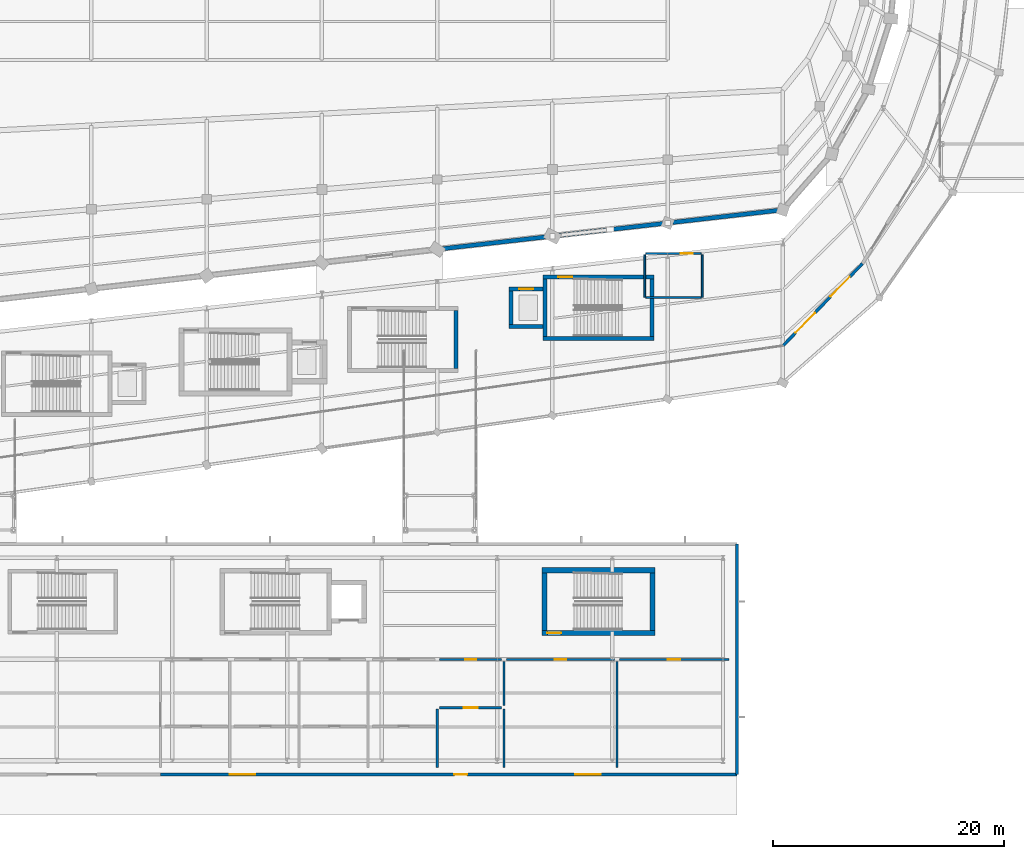
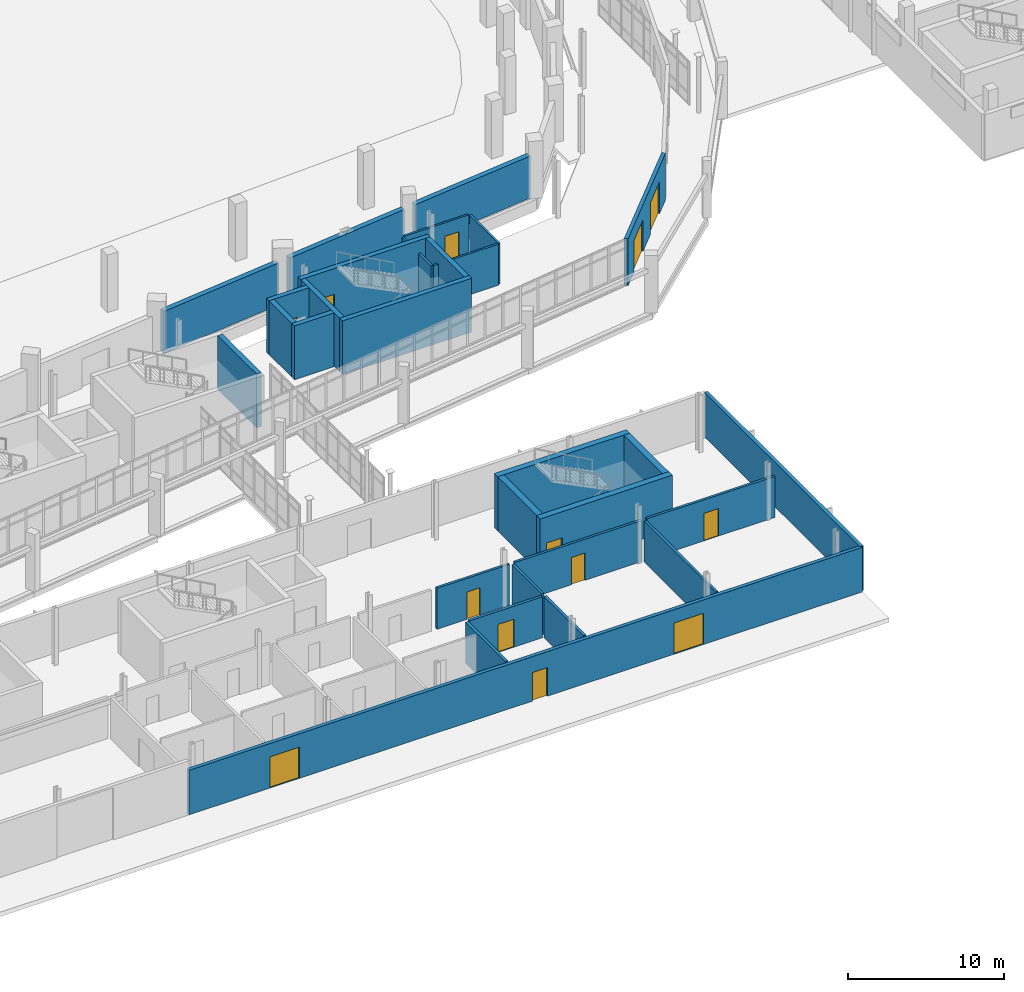
# One storey, part 106 of 122: 30 walls, 13 doors, 13 openings.
"""IFC4 building model written with IfcOpenShell, lengths in metres."""

from ifc_helpers import new_model, si_unit, direction, frame, frame_2d, origin, place, context, subcontext, project, spatial, rectangle, extrude, material, layer, layer_set, type_object, element, fill, save


model = new_model("IFC4")

# Units and contexts
model_context = context("Model", 3, precision=1e-05, world=origin(), true_north=direction((0.0, 1.0)))
body_context = subcontext(model_context, "Body", "Model", "MODEL_VIEW")
ifc_project = project(units=[si_unit("LENGTHUNIT", "METRE"), si_unit("AREAUNIT", "SQUARE_METRE"), si_unit("VOLUMEUNIT", "CUBIC_METRE"), si_unit("PLANEANGLEUNIT", "RADIAN"), si_unit("MASSUNIT", "GRAM", prefix="KILO")], contexts=[model_context])

# Site, building, storey
site_placement = place(None, origin())
site = spatial("IfcSite", under=ifc_project, at=site_placement, CompositionType="ELEMENT")
building_placement = place(site_placement, origin())
building = spatial("IfcBuilding", under=site, at=building_placement, Name="Sohan Crest Arena", CompositionType="ELEMENT")
storey_placement = place(building_placement, origin())
storey = spatial("IfcBuildingStorey", under=building, at=storey_placement, Name="L00", CompositionType="ELEMENT", Elevation=0.0)

# Wall, openings, doors
ifc_material_1 = material(Name="Margalla limestone ashlar envelope wall", Category="masonry")
ifc_layer_1 = layer(ifc_material_1, 0.260009765625, Name="Margalla limestone ashlar envelope wall")
ifc_layer_set_1 = layer_set([ifc_layer_1], Name="Margalla limestone ashlar envelope wall")
wall_type_1 = type_object("IfcWallType", Name="WAL-EW01", PredefinedType="SOLIDWALL", material=ifc_layer_set_1)
wall_1_placement = place(storey_placement, frame((168.0, 43.199951171875, 0.0), z_axis=(0.0, 0.0, 1.0), x_axis=(0.695294601794, 0.718724854667, 0.0)))
wall_1 = element("IfcWall", 1, at=wall_1_placement, inside=storey, type_object=wall_type_1, Name="External wall EW-079", PredefinedType="SOLIDWALL", context=body_context, shape_type="SweptSolid", body=[
    extrude(rectangle(XDim=9.909423828125, YDim=0.260009765625, at=frame_2d((4.95458984375, 0.0))), origin(), (0.0, 0.0, 1.0), 3.679931640625),
])
opening_1_placement = place(wall_1_placement, frame((1.574951171875, 0.0, 0.0)))
opening_1 = element("IfcOpeningElement", 2, at=opening_1_placement, cuts=wall_1, Name="Opening G07", PredefinedType="OPENING", context=body_context, shape_type="SweptSolid", body=[
    extrude(rectangle(XDim=2.39990234375, YDim=2.5, at=frame_2d((1.199951171875, 1.25))), frame((0.0, 0.139892578125, 0.0), z_axis=(0.0, -1.0, 0.0), x_axis=(1.0, 0.0, 0.0)), (0.0, 0.0, 1.0), 0.280029296875),
])
opening_2_placement = place(wall_1_placement, frame((5.93505859375, 0.0, 0.0)))
opening_2 = element("IfcOpeningElement", 3, at=opening_2_placement, cuts=wall_1, Name="Opening G08", PredefinedType="OPENING", context=body_context, shape_type="SweptSolid", body=[
    extrude(rectangle(XDim=2.39990234375, YDim=2.5, at=frame_2d((1.199951171875, 1.25))), frame((0.0, 0.139892578125, 0.0), z_axis=(0.0, -1.0, 0.0), x_axis=(1.0, 0.0, 0.0)), (0.0, 0.0, 1.0), 0.280029296875),
])
ifc_material_2 = material(Name="Galvanised steel acoustic final exit door", Category="steel")
door_type_1 = type_object("IfcDoorType", Name="DR-G01", OperationType="DOUBLE_DOOR_SINGLE_SWING", PredefinedType="DOOR", material=ifc_material_2)
door_1_placement = place(opening_1_placement, frame((2.39990234375, 0.0, 0.0), z_axis=(0.0, 0.0, 1.0), x_axis=(-1.0, 0.0, 0.0)))
door_1 = element("IfcDoor", 4, at=door_1_placement, inside=storey, type_object=door_type_1, Name="Pedestrian exit gate G07", OperationType="DOUBLE_DOOR_SINGLE_SWING", OverallHeight=2.5, OverallWidth=2.39990234375, PredefinedType="DOOR", context=body_context, shape_type="SweptSolid", body=[
    extrude(rectangle(XDim=2.39990234375, YDim=2.5, at=frame_2d((1.199951171875, 1.25))), frame((0.0, 0.02490234375, 0.0), z_axis=(0.0, -1.0, 0.0), x_axis=(1.0, 0.0, 0.0)), (0.0, 0.0, 1.0), 0.050048828125),
])
fill(opening_1, door_1)
door_2_placement = place(opening_2_placement, frame((2.39990234375, 0.0, 0.0), z_axis=(0.0, 0.0, 1.0), x_axis=(-1.0, 0.0, 0.0)))
door_2 = element("IfcDoor", 5, at=door_2_placement, inside=storey, type_object=door_type_1, Name="Pedestrian exit gate G08", OperationType="DOUBLE_DOOR_SINGLE_SWING", OverallHeight=2.5, OverallWidth=2.39990234375, PredefinedType="DOOR", context=body_context, shape_type="SweptSolid", body=[
    extrude(rectangle(XDim=2.39990234375, YDim=2.5, at=frame_2d((1.199951171875, 1.25))), frame((0.0, 0.02490234375, 0.0), z_axis=(0.0, -1.0, 0.0), x_axis=(1.0, 0.0, 0.0)), (0.0, 0.0, 1.0), 0.050048828125),
])
fill(opening_2, door_2)

wall_2_placement = place(storey_placement, frame((114.0, 6.0, 0.0), z_axis=(0.0, 0.0, 1.0), x_axis=(1.0, 0.0, 0.0)))
wall_2 = element("IfcWall", 6, at=wall_2_placement, inside=storey, type_object=wall_type_1, Name="External wall EW-126", PredefinedType="SOLIDWALL", context=body_context, shape_type="SweptSolid", body=[
    extrude(rectangle(XDim=50.0, YDim=0.260009765625, at=frame_2d((25.0, 0.0))), origin(), (0.0, 0.0, 1.0), 3.5),
])
opening_3_placement = place(wall_2_placement, frame((25.5, 0.0, 0.0)))
opening_3 = element("IfcOpeningElement", 7, at=opening_3_placement, cuts=wall_2, Name="Opening FCC-D01", PredefinedType="OPENING", context=body_context, shape_type="SweptSolid", body=[
    extrude(rectangle(XDim=1.10009765625, YDim=2.25, at=frame_2d((0.550048828125, 1.125))), frame((0.0, 0.139892578125, 0.0), z_axis=(0.0, -1.0, 0.0), x_axis=(1.0, 0.0, 0.0)), (0.0, 0.0, 1.0), 0.280029296875),
])
opening_4_placement = place(wall_2_placement, frame((6.0, 0.0, 0.0)))
opening_4 = element("IfcOpeningElement", 8, at=opening_4_placement, cuts=wall_2, Name="Opening G25", PredefinedType="OPENING", context=body_context, shape_type="SweptSolid", body=[
    extrude(rectangle(XDim=2.199951171875, YDim=2.449951171875, at=frame_2d((1.10009765625, 1.22509765625))), frame((0.0, 0.139892578125, 0.0), z_axis=(0.0, -1.0, 0.0), x_axis=(1.0, 0.0, 0.0)), (0.0, 0.0, 1.0), 0.280029296875),
])
opening_5_placement = place(wall_2_placement, frame((36.0, 0.0, 0.0)))
opening_5 = element("IfcOpeningElement", 9, at=opening_5_placement, cuts=wall_2, Name="Opening G26", PredefinedType="OPENING", context=body_context, shape_type="SweptSolid", body=[
    extrude(rectangle(XDim=2.199951171875, YDim=2.449951171875, at=frame_2d((1.10009765625, 1.22509765625))), frame((0.0, 0.139892578125, 0.0), z_axis=(0.0, -1.0, 0.0), x_axis=(1.0, 0.0, 0.0)), (0.0, 0.0, 1.0), 0.280029296875),
])
ifc_material_3 = material(Name="Insulated steel plant exterior personnel door", Category="steel")
door_type_2 = type_object("IfcDoorType", Name="DR-ED03", OperationType="NOTDEFINED", PredefinedType="DOOR", material=ifc_material_3)
door_3_placement = place(opening_3_placement, frame((1.10009765625, 0.0, 0.0), z_axis=(0.0, 0.0, 1.0), x_axis=(-1.0, 0.0, 0.0)))
door_3 = element("IfcDoor", 10, at=door_3_placement, inside=storey, type_object=door_type_2, Name="Fire command centre exterior entrance FCC-D01", OperationType="SINGLE_SWING_LEFT", OverallHeight=2.25, OverallWidth=1.10009765625, PredefinedType="DOOR", context=body_context, shape_type="SweptSolid", body=[
    extrude(rectangle(XDim=1.10009765625, YDim=2.25, at=frame_2d((0.550048828125, 1.125))), frame((0.0, 0.02490234375, 0.0), z_axis=(0.0, -1.0, 0.0), x_axis=(1.0, 0.0, 0.0)), (0.0, 0.0, 1.0), 0.050048828125),
])
fill(opening_3, door_3)
door_type_3 = type_object("IfcDoorType", Name="DR-G02", OperationType="DOUBLE_DOOR_SINGLE_SWING", PredefinedType="DOOR", material=ifc_material_2)
door_4_placement = place(opening_4_placement, frame((2.199951171875, 0.0, 0.0), z_axis=(0.0, 0.0, 1.0), x_axis=(-1.0, 0.0, 0.0)))
door_4 = element("IfcDoor", 11, at=door_4_placement, inside=storey, type_object=door_type_3, Name="Pedestrian exit gate G25", OperationType="DOUBLE_DOOR_SINGLE_SWING", OverallHeight=2.449951171875, OverallWidth=2.199951171875, PredefinedType="DOOR", context=body_context, shape_type="SweptSolid", body=[
    extrude(rectangle(XDim=2.199951171875, YDim=2.449951171875, at=frame_2d((1.10009765625, 1.22509765625))), frame((0.0, 0.02490234375, 0.0), z_axis=(0.0, -1.0, 0.0), x_axis=(1.0, 0.0, 0.0)), (0.0, 0.0, 1.0), 0.050048828125),
])
fill(opening_4, door_4)
door_5_placement = place(opening_5_placement, frame((2.199951171875, 0.0, 0.0), z_axis=(0.0, 0.0, 1.0), x_axis=(-1.0, 0.0, 0.0)))
door_5 = element("IfcDoor", 12, at=door_5_placement, inside=storey, type_object=door_type_3, Name="Pedestrian exit gate G26", OperationType="DOUBLE_DOOR_SINGLE_SWING", OverallHeight=2.449951171875, OverallWidth=2.199951171875, PredefinedType="DOOR", context=body_context, shape_type="SweptSolid", body=[
    extrude(rectangle(XDim=2.199951171875, YDim=2.449951171875, at=frame_2d((1.10009765625, 1.22509765625))), frame((0.0, 0.02490234375, 0.0), z_axis=(0.0, -1.0, 0.0), x_axis=(1.0, 0.0, 0.0)), (0.0, 0.0, 1.0), 0.050048828125),
])
fill(opening_5, door_5)

# Walls
wall_3_placement = place(storey_placement, frame((164.0, 6.0, 0.0), z_axis=(0.0, 0.0, 1.0), x_axis=(0.0, 1.0, 0.0)))
element("IfcWall", 13, at=wall_3_placement, inside=storey, type_object=wall_type_1, Name="External wall EW-127", PredefinedType="SOLIDWALL", context=body_context, shape_type="SweptSolid", body=[
    extrude(rectangle(XDim=20.0, YDim=0.260009765625, at=frame_2d((10.0, 0.0))), origin(), (0.0, 0.0, 1.0), 3.5),
])
ifc_material_4 = material(Name="Acoustic insulated bowl drum enclosure wall", Category="masonry")
ifc_layer_2 = layer(ifc_material_4, 0.3701171875, Name="Acoustic insulated bowl drum enclosure wall")
ifc_layer_set_2 = layer_set([ifc_layer_2], Name="Acoustic insulated bowl drum enclosure wall")
wall_type_2 = type_object("IfcWallType", Name="WAL-EW05", PredefinedType="SOLIDWALL", material=ifc_layer_set_2)
for number, where, z_axis, x_axis, name in (
    (14, (138.43701171875, 51.62109375, 0.0), (0.0, 0.0, 1.0), (0.993532672656, 0.113546591161, 0.0), "Acoustic bowl drum wall BW-L00-17"),
    (15, (148.43701171875, 52.763916015625, 0.0), (0.0, 0.0, 1.0), (0.993532672656, 0.113546591161, 0.0), "Acoustic bowl drum wall BW-L00-18"),
    (16, (158.43701171875, 53.906982421875, 0.0), (0.0, 0.0, 1.0), (0.993532672656, 0.113546591161, 0.0), "Acoustic bowl drum wall BW-L00-19"),
):
    element("IfcWall", number, at=place(storey_placement, frame(where, z_axis=z_axis, x_axis=x_axis)), inside=storey, type_object=wall_type_2, Name=name, PredefinedType="SOLIDWALL", context=body_context, shape_type="SweptSolid", body=[
        extrude(rectangle(XDim=9.185302734375, YDim=0.3701171875, at=frame_2d((4.5927734375, 0.0))), origin(), (0.0, 0.0, 1.0), 3.300048828125),
    ])
ifc_material_5 = material(Name="Fire-rated masonry blockwork compartment wall", Category="masonry")
ifc_layer_3 = layer(ifc_material_5, 0.199951171875, Name="Fire-rated masonry blockwork compartment wall")
ifc_layer_set_3 = layer_set([ifc_layer_3], Name="Fire-rated masonry blockwork compartment wall")
wall_type_3 = type_object("IfcWallType", Name="WAL-FW01", PredefinedType="PARTITIONING", material=ifc_layer_set_3)
for number, where, z_axis, x_axis, name in (
    (17, (138.0, 6.60009765625, 0.0), (0.0, 0.0, 1.0), (0.0, 1.0, 0.0), "Interior partition wall PW-0860"),
    (18, (143.800048828125, 6.60009765625, 0.0), (0.0, 0.0, 1.0), (0.0, 1.0, 0.0), "Interior partition wall PW-0861"),
):
    element("IfcWall", number, at=place(storey_placement, frame(where, z_axis=z_axis, x_axis=x_axis)), inside=storey, type_object=wall_type_3, Name=name, PredefinedType="PARTITIONING", context=body_context, shape_type="SweptSolid", body=[
        extrude(rectangle(XDim=5.099853515625, YDim=0.199951171875, at=frame_2d((2.5498046875, 0.0))), origin(), (0.0, 0.0, 1.0), 3.219970703125),
    ])

# Wall, opening, door
wall_4_placement = place(storey_placement, frame((138.199951171875, 11.800048828125, 0.0), z_axis=(0.0, 0.0, 1.0), x_axis=(1.0, 0.0, 0.0)))
wall_4 = element("IfcWall", 19, at=wall_4_placement, inside=storey, type_object=wall_type_3, Name="Interior partition wall PW-0862", PredefinedType="PARTITIONING", context=body_context, shape_type="SweptSolid", body=[
    extrude(rectangle(XDim=5.400146484375, YDim=0.199951171875, at=frame_2d((2.7001953125, 0.0))), origin(), (0.0, 0.0, 1.0), 3.219970703125),
])
opening_6_placement = place(wall_4_placement, frame((2.10009765625, 0.0, 0.0)))
opening_6 = element("IfcOpeningElement", 20, at=opening_6_placement, cuts=wall_4, Name="Opening FCC-0241", PredefinedType="OPENING", context=body_context, shape_type="SweptSolid", body=[
    extrude(rectangle(XDim=1.199951171875, YDim=2.199951171875, at=frame_2d((0.60009765625, 1.10009765625))), frame((0.0, 0.10986328125, 0.0), z_axis=(0.0, -1.0, 0.0), x_axis=(1.0, 0.0, 0.0)), (0.0, 0.0, 1.0), 0.219970703125),
])
ifc_material_6 = material(Name="Fire-rated steel stair and lobby door", Category="steel")
door_type_4 = type_object("IfcDoorType", Name="DR-FD04", OperationType="NOTDEFINED", PredefinedType="DOOR", material=ifc_material_6)
door_6_placement = place(opening_6_placement, origin())
door_6 = element("IfcDoor", 21, at=door_6_placement, inside=storey, type_object=door_type_4, Name="Fire command centre door FCC-0241", OperationType="SINGLE_SWING_LEFT", OverallHeight=2.199951171875, OverallWidth=1.199951171875, PredefinedType="DOOR", context=body_context, shape_type="SweptSolid", body=[
    extrude(rectangle(XDim=1.199951171875, YDim=2.199951171875, at=frame_2d((0.60009765625, 1.10009765625))), frame((0.0, 0.02490234375, 0.0), z_axis=(0.0, -1.0, 0.0), x_axis=(1.0, 0.0, 0.0)), (0.0, 0.0, 1.0), 0.050048828125),
])
fill(opening_6, door_6)

# Walls
ifc_material_7 = material(Name="Wet-area moisture-resistant masonry partition", Category="masonry")
ifc_layer_4 = layer(ifc_material_7, 0.14990234375, Name="Wet-area moisture-resistant masonry partition")
ifc_layer_set_4 = layer_set([ifc_layer_4], Name="Wet-area moisture-resistant masonry partition")
wall_type_4 = type_object("IfcWallType", Name="WAL-PW03", PredefinedType="PARTITIONING", material=ifc_layer_set_4)
for number, where, z_axis, x_axis, name in (
    (22, (156.0, 47.39990234375, 0.0), (0.0, 0.0, 1.0), (0.0, 1.0, 0.0), "Interior partition wall PW-0842"),
    (23, (161.0, 47.39990234375, 0.0), (0.0, 0.0, 1.0), (0.0, 1.0, 0.0), "Interior partition wall PW-0843"),
):
    element("IfcWall", number, at=place(storey_placement, frame(where, z_axis=z_axis, x_axis=x_axis)), inside=storey, type_object=wall_type_4, Name=name, PredefinedType="PARTITIONING", context=body_context, shape_type="SweptSolid", body=[
        extrude(rectangle(XDim=3.7001953125, YDim=0.14990234375, at=frame_2d((1.85009765625, 0.0))), origin(), (0.0, 0.0, 1.0), 3.219970703125),
    ])
wall_5_placement = place(storey_placement, frame((156.10009765625, 47.39990234375, 0.0), z_axis=(0.0, 0.0, 1.0), x_axis=(1.0, 0.0, 0.0)))
element("IfcWall", 24, at=wall_5_placement, inside=storey, type_object=wall_type_4, Name="Interior partition wall PW-0844", PredefinedType="PARTITIONING", context=body_context, shape_type="SweptSolid", body=[
    extrude(rectangle(XDim=4.7998046875, YDim=0.14990234375, at=frame_2d((2.39990234375, 0.0))), origin(), (0.0, 0.0, 1.0), 3.219970703125),
])

# Wall, opening, door
wall_6_placement = place(storey_placement, frame((156.10009765625, 51.199951171875, 0.0), z_axis=(0.0, 0.0, 1.0), x_axis=(1.0, 0.0, 0.0)))
wall_6 = element("IfcWall", 25, at=wall_6_placement, inside=storey, type_object=wall_type_4, Name="Interior partition wall PW-0845", PredefinedType="PARTITIONING", context=body_context, shape_type="SweptSolid", body=[
    extrude(rectangle(XDim=4.7998046875, YDim=0.14990234375, at=frame_2d((2.39990234375, 0.0))), origin(), (0.0, 0.0, 1.0), 3.219970703125),
])
opening_7_placement = place(wall_6_placement, frame((3.0419921875, 0.0, 0.0)))
opening_7 = element("IfcOpeningElement", 26, at=opening_7_placement, cuts=wall_6, Name="Opening WC-0230", PredefinedType="OPENING", context=body_context, shape_type="SweptSolid", body=[
    extrude(rectangle(XDim=1.02001953125, YDim=2.14990234375, at=frame_2d((0.510009765625, 1.074951171875))), frame((0.0, 0.0849609375, 0.0), z_axis=(0.0, -1.0, 0.0), x_axis=(1.0, 0.0, 0.0)), (0.0, 0.0, 1.0), 0.169921875),
])
ifc_material_8 = material(Name="Accessible toilet and dressing room door", Category="wood")
door_type_5 = type_object("IfcDoorType", Name="DR-ID03", OperationType="NOTDEFINED", PredefinedType="DOOR", material=ifc_material_8)
door_7_placement = place(opening_7_placement, origin())
door_7 = element("IfcDoor", 27, at=door_7_placement, inside=storey, type_object=door_type_5, Name="South accessible WC door WC-0230", OperationType="SINGLE_SWING_LEFT", OverallHeight=2.14990234375, OverallWidth=1.02001953125, PredefinedType="DOOR", context=body_context, shape_type="SweptSolid", body=[
    extrude(rectangle(XDim=1.02001953125, YDim=2.14990234375, at=frame_2d((0.510009765625, 1.074951171875))), frame((0.0, 0.02490234375, 0.0), z_axis=(0.0, -1.0, 0.0), x_axis=(1.0, 0.0, 0.0)), (0.0, 0.0, 1.0), 0.050048828125),
])
fill(opening_7, door_7)

ifc_material_9 = material(Name="Back-of-house masonry room partition", Category="masonry")
ifc_layer_5 = layer(ifc_material_9, 0.179931640625, Name="Back-of-house masonry room partition")
ifc_layer_set_5 = layer_set([ifc_layer_5], Name="Back-of-house masonry room partition")
wall_type_5 = type_object("IfcWallType", Name="WAL-PW05", PredefinedType="PARTITIONING", material=ifc_layer_set_5)
wall_7_placement = place(storey_placement, frame((138.199951171875, 16.0, 0.0), z_axis=(0.0, 0.0, 1.0), x_axis=(1.0, 0.0, 0.0)))
wall_7 = element("IfcWall", 28, at=wall_7_placement, inside=storey, type_object=wall_type_5, Name="Interior partition wall PW-0863", PredefinedType="PARTITIONING", context=body_context, shape_type="SweptSolid", body=[
    extrude(rectangle(XDim=5.400146484375, YDim=0.179931640625, at=frame_2d((2.7001953125, 0.0))), origin(), (0.0, 0.0, 1.0), 3.219970703125),
])
opening_8_placement = place(wall_7_placement, frame((2.219970703125, 0.0, 0.0)))
opening_8 = element("IfcOpeningElement", 29, at=opening_8_placement, cuts=wall_7, Name="Opening BRC-0242", PredefinedType="OPENING", context=body_context, shape_type="SweptSolid", body=[
    extrude(rectangle(XDim=0.9599609375, YDim=2.14990234375, at=frame_2d((0.47998046875, 1.074951171875))), frame((0.0, 0.099853515625, 0.0), z_axis=(0.0, -1.0, 0.0), x_axis=(1.0, 0.0, 0.0)), (0.0, 0.0, 1.0), 0.199951171875),
])
ifc_material_10 = material(Name="Hospitality suite and office timber door", Category="wood")
door_type_6 = type_object("IfcDoorType", Name="DR-ID04", OperationType="NOTDEFINED", PredefinedType="DOOR", material=ifc_material_10)
door_8_placement = place(opening_8_placement, origin())
door_8 = element("IfcDoor", 30, at=door_8_placement, inside=storey, type_object=door_type_6, Name="Broadcast vestibule door BRC-0242", OperationType="SINGLE_SWING_RIGHT", OverallHeight=2.14990234375, OverallWidth=0.9599609375, PredefinedType="DOOR", context=body_context, shape_type="SweptSolid", body=[
    extrude(rectangle(XDim=0.9599609375, YDim=2.14990234375, at=frame_2d((0.47998046875, 1.074951171875))), frame((0.0, 0.02490234375, 0.0), z_axis=(0.0, -1.0, 0.0), x_axis=(1.0, 0.0, 0.0)), (0.0, 0.0, 1.0), 0.050048828125),
])
fill(opening_8, door_8)

# Wall
wall_8_placement = place(storey_placement, frame((143.800048828125, 12.0, 0.0), z_axis=(0.0, 0.0, 1.0), x_axis=(0.0, 1.0, 0.0)))
element("IfcWall", 31, at=wall_8_placement, inside=storey, type_object=wall_type_5, Name="Interior partition wall PW-0875", PredefinedType="PARTITIONING", context=body_context, shape_type="SweptSolid", body=[
    extrude(rectangle(XDim=3.800048828125, YDim=0.179931640625, at=frame_2d((1.89990234375, 0.0))), origin(), (0.0, 0.0, 1.0), 3.219970703125),
])

# Wall, opening, door
wall_9_placement = place(storey_placement, frame((144.0, 16.0, 0.0), z_axis=(0.0, 0.0, 1.0), x_axis=(1.0, 0.0, 0.0)))
wall_9 = element("IfcWall", 32, at=wall_9_placement, inside=storey, type_object=wall_type_5, Name="Interior partition wall PW-0876", PredefinedType="PARTITIONING", context=body_context, shape_type="SweptSolid", body=[
    extrude(rectangle(XDim=9.39990234375, YDim=0.179931640625, at=frame_2d((4.699951171875, 0.0))), origin(), (0.0, 0.0, 1.0), 3.219970703125),
])
opening_9_placement = place(wall_9_placement, frame((4.199951171875, 0.0, 0.0)))
opening_9 = element("IfcOpeningElement", 33, at=opening_9_placement, cuts=wall_9, Name="Opening DOP-0251", PredefinedType="OPENING", context=body_context, shape_type="SweptSolid", body=[
    extrude(rectangle(XDim=1.0, YDim=2.139892578125, at=frame_2d((0.5, 1.06982421875))), frame((0.0, 0.099853515625, 0.0), z_axis=(0.0, -1.0, 0.0), x_axis=(1.0, 0.0, 0.0)), (0.0, 0.0, 1.0), 0.199951171875),
])
ifc_material_11 = material(Name="Solid oak acoustic room door", Category="wood")
door_type_7 = type_object("IfcDoorType", Name="DR-ID09", OperationType="NOTDEFINED", PredefinedType="DOOR", material=ifc_material_11)
door_9_placement = place(opening_9_placement, origin())
door_9 = element("IfcDoor", 34, at=door_9_placement, inside=storey, type_object=door_type_7, Name="Doping control door DOP-0251", OperationType="SINGLE_SWING_LEFT", OverallHeight=2.139892578125, OverallWidth=1.0, PredefinedType="DOOR", context=body_context, shape_type="SweptSolid", body=[
    extrude(rectangle(XDim=1.0, YDim=2.139892578125, at=frame_2d((0.5, 1.06982421875))), frame((0.0, 0.02490234375, 0.0), z_axis=(0.0, -1.0, 0.0), x_axis=(1.0, 0.0, 0.0)), (0.0, 0.0, 1.0), 0.050048828125),
])
fill(opening_9, door_9)

# Wall
wall_10_placement = place(storey_placement, frame((153.60009765625, 6.60009765625, 0.0), z_axis=(0.0, 0.0, 1.0), x_axis=(0.0, 1.0, 0.0)))
element("IfcWall", 35, at=wall_10_placement, inside=storey, type_object=wall_type_5, Name="Interior partition wall PW-0877", PredefinedType="PARTITIONING", context=body_context, shape_type="SweptSolid", body=[
    extrude(rectangle(XDim=9.199951171875, YDim=0.179931640625, at=frame_2d((4.60009765625, 0.0))), origin(), (0.0, 0.0, 1.0), 3.219970703125),
])

# Wall, opening, door
wall_11_placement = place(storey_placement, frame((153.800048828125, 16.0, 0.0), z_axis=(0.0, 0.0, 1.0), x_axis=(1.0, 0.0, 0.0)))
wall_11 = element("IfcWall", 36, at=wall_11_placement, inside=storey, type_object=wall_type_5, Name="Interior partition wall PW-0878", PredefinedType="PARTITIONING", context=body_context, shape_type="SweptSolid", body=[
    extrude(rectangle(XDim=9.5, YDim=0.179931640625, at=frame_2d((4.75, 0.0))), origin(), (0.0, 0.0, 1.0), 3.219970703125),
])
opening_10_placement = place(wall_11_placement, frame((4.2099609375, 0.0, 0.0)))
opening_10 = element("IfcOpeningElement", 37, at=opening_10_placement, cuts=wall_11, Name="Opening MED-0252", PredefinedType="OPENING", context=body_context, shape_type="SweptSolid", body=[
    extrude(rectangle(XDim=1.080078125, YDim=2.159912109375, at=frame_2d((0.5400390625, 1.080078125))), frame((0.0, 0.099853515625, 0.0), z_axis=(0.0, -1.0, 0.0), x_axis=(1.0, 0.0, 0.0)), (0.0, 0.0, 1.0), 0.199951171875),
])
door_type_8 = type_object("IfcDoorType", Name="DR-ID10", OperationType="NOTDEFINED", PredefinedType="DOOR", material=ifc_material_11)
door_10_placement = place(opening_10_placement, origin())
door_10 = element("IfcDoor", 38, at=door_10_placement, inside=storey, type_object=door_type_8, Name="Athlete medical suite door MED-0252", OperationType="SINGLE_SWING_RIGHT", OverallHeight=2.159912109375, OverallWidth=1.080078125, PredefinedType="DOOR", context=body_context, shape_type="SweptSolid", body=[
    extrude(rectangle(XDim=1.080078125, YDim=2.159912109375, at=frame_2d((0.5400390625, 1.080078125))), frame((0.0, 0.02490234375, 0.0), z_axis=(0.0, -1.0, 0.0), x_axis=(1.0, 0.0, 0.0)), (0.0, 0.0, 1.0), 0.050048828125),
])
fill(opening_10, door_10)

# Walls
ifc_material_12 = material(Name="Concrete C40/50", Category="concrete")
ifc_layer_6 = layer(ifc_material_12, 0.35009765625, Name="Concrete C40/50")
ifc_layer_set_6 = layer_set([ifc_layer_6], Name="Concrete C40/50")
wall_type_6 = type_object("IfcWallType", Name="WAL-SW02", PredefinedType="SHEAR", material=ifc_layer_set_6)
for number, where, z_axis, x_axis, name in (
    (39, (147.375, 44.0, 0.0), (0.0, 0.0, 1.0), (0.0, 1.0, 0.0), "Core shear wall SW-0413"),
    (40, (156.625, 44.0, 0.0), (0.0, 0.0, 1.0), (0.0, 1.0, 0.0), "Core shear wall SW-0414"),
):
    element("IfcWall", number, at=place(storey_placement, frame(where, z_axis=z_axis, x_axis=x_axis)), inside=storey, type_object=wall_type_6, Name=name, PredefinedType="SHEAR", context=body_context, shape_type="SweptSolid", body=[
        extrude(rectangle(XDim=5.0, YDim=0.35009765625, at=frame_2d((2.5, 0.0))), origin(), (0.0, 0.0, 1.0), 4.22509765625),
    ])
wall_12_placement = place(storey_placement, frame((147.199951171875, 43.824951171875, 0.0), z_axis=(0.0, 0.0, 1.0), x_axis=(1.0, 0.0, 0.0)))
element("IfcWall", 41, at=wall_12_placement, inside=storey, type_object=wall_type_6, Name="Core shear wall SW-0415", PredefinedType="SHEAR", context=body_context, shape_type="SweptSolid", body=[
    extrude(rectangle(XDim=9.60009765625, YDim=0.35009765625, at=frame_2d((4.800048828125, 0.0))), origin(), (0.0, 0.0, 1.0), 4.22509765625),
])

# Wall, opening, door
wall_13_placement = place(storey_placement, frame((147.199951171875, 49.175048828125, 0.0), z_axis=(0.0, 0.0, 1.0), x_axis=(1.0, 0.0, 0.0)))
wall_13 = element("IfcWall", 42, at=wall_13_placement, inside=storey, type_object=wall_type_6, Name="Core shear wall SW-0416", PredefinedType="SHEAR", context=body_context, shape_type="SweptSolid", body=[
    extrude(rectangle(XDim=9.60009765625, YDim=0.35009765625, at=frame_2d((4.800048828125, 0.0))), origin(), (0.0, 0.0, 1.0), 4.22509765625),
])
opening_11_placement = place(wall_13_placement, frame((1.320068359375, 0.0, 0.0)))
opening_11 = element("IfcOpeningElement", 43, at=opening_11_placement, cuts=wall_13, Name="Opening SD-0115", PredefinedType="OPENING", context=body_context, shape_type="SweptSolid", body=[
    extrude(rectangle(XDim=1.199951171875, YDim=2.199951171875, at=frame_2d((0.60009765625, 1.10009765625))), frame((0.0, 0.18505859375, 0.0), z_axis=(0.0, -1.0, 0.0), x_axis=(1.0, 0.0, 0.0)), (0.0, 0.0, 1.0), 0.3701171875),
])
door_11_placement = place(opening_11_placement, origin())
door_11 = element("IfcDoor", 44, at=door_11_placement, inside=storey, type_object=door_type_4, Name="Protected stair door SD-0115", OperationType="SINGLE_SWING_LEFT", OverallHeight=2.199951171875, OverallWidth=1.199951171875, PredefinedType="DOOR", context=body_context, shape_type="SweptSolid", body=[
    extrude(rectangle(XDim=1.199951171875, YDim=2.199951171875, at=frame_2d((0.60009765625, 1.10009765625))), frame((0.0, 0.02490234375, 0.0), z_axis=(0.0, -1.0, 0.0), x_axis=(1.0, 0.0, 0.0)), (0.0, 0.0, 1.0), 0.050048828125),
])
fill(opening_11, door_11)

# Walls
wall_14_placement = place(storey_placement, frame((144.425048828125, 45.050048828125, 0.0), z_axis=(0.0, 0.0, 1.0), x_axis=(0.0, 1.0, 0.0)))
element("IfcWall", 45, at=wall_14_placement, inside=storey, type_object=wall_type_6, Name="Core shear wall SW-0417", PredefinedType="SHEAR", context=body_context, shape_type="SweptSolid", body=[
    extrude(rectangle(XDim=2.89990234375, YDim=0.35009765625, at=frame_2d((1.449951171875, 0.0))), origin(), (0.0, 0.0, 1.0), 4.22509765625),
])
wall_15_placement = place(storey_placement, frame((144.25, 44.875, 0.0), z_axis=(0.0, 0.0, 1.0), x_axis=(1.0, 0.0, 0.0)))
element("IfcWall", 46, at=wall_15_placement, inside=storey, type_object=wall_type_6, Name="Core shear wall SW-0418", PredefinedType="SHEAR", context=body_context, shape_type="SweptSolid", body=[
    extrude(rectangle(XDim=2.949951171875, YDim=0.35009765625, at=frame_2d((1.47509765625, 0.0))), origin(), (0.0, 0.0, 1.0), 4.22509765625),
])

# Wall, opening, door
wall_16_placement = place(storey_placement, frame((144.25, 48.125, 0.0), z_axis=(0.0, 0.0, 1.0), x_axis=(1.0, 0.0, 0.0)))
wall_16 = element("IfcWall", 47, at=wall_16_placement, inside=storey, type_object=wall_type_6, Name="Core shear wall SW-0419", PredefinedType="SHEAR", context=body_context, shape_type="SweptSolid", body=[
    extrude(rectangle(XDim=2.949951171875, YDim=0.35009765625, at=frame_2d((1.47509765625, 0.0))), origin(), (0.0, 0.0, 1.0), 4.22509765625),
])
opening_12_placement = place(wall_16_placement, frame((0.875, 0.0, 0.0)))
opening_12 = element("IfcOpeningElement", 48, at=opening_12_placement, cuts=wall_16, Name="Opening LD-LP07-L00", PredefinedType="OPENING", context=body_context, shape_type="SweptSolid", body=[
    extrude(rectangle(XDim=1.199951171875, YDim=2.199951171875, at=frame_2d((0.60009765625, 1.10009765625))), frame((0.0, 0.18505859375, 0.0), z_axis=(0.0, -1.0, 0.0), x_axis=(1.0, 0.0, 0.0)), (0.0, 0.0, 1.0), 0.3701171875),
])
ifc_material_13 = material(Name="Stainless steel passenger lift landing door", Category="steel")
door_type_9 = type_object("IfcDoorType", Name="DR-LD02", OperationType="SLIDING_TO_LEFT", PredefinedType="DOOR", material=ifc_material_13)
door_12_placement = place(opening_12_placement, origin())
door_12 = element("IfcDoor", 49, at=door_12_placement, inside=storey, type_object=door_type_9, Name="Sliding lift landing door LD-LP07-L00", OperationType="SLIDING_TO_LEFT", OverallHeight=2.199951171875, OverallWidth=1.199951171875, PredefinedType="DOOR", context=body_context, shape_type="SweptSolid", body=[
    extrude(rectangle(XDim=1.199951171875, YDim=2.199951171875, at=frame_2d((0.60009765625, 1.10009765625))), frame((0.0, 0.02490234375, 0.0), z_axis=(0.0, -1.0, 0.0), x_axis=(1.0, 0.0, 0.0)), (0.0, 0.0, 1.0), 0.050048828125),
])
fill(opening_12, door_12)

# Walls
wall_17_placement = place(storey_placement, frame((139.625, 41.25, 0.0), z_axis=(0.0, 0.0, 1.0), x_axis=(0.0, 1.0, 0.0)))
element("IfcWall", 50, at=wall_17_placement, inside=storey, type_object=wall_type_6, Name="Core shear wall SW-0786", PredefinedType="SHEAR", context=body_context, shape_type="SweptSolid", body=[
    extrude(rectangle(XDim=5.0, YDim=0.35009765625, at=frame_2d((2.5, 0.0))), origin(), (0.0, 0.0, 1.0), 4.22509765625),
])
ifc_layer_7 = layer(ifc_material_12, 0.449951171875, Name="Concrete C40/50")
ifc_layer_set_7 = layer_set([ifc_layer_7], Name="Concrete C40/50")
wall_type_7 = type_object("IfcWallType", Name="WAL-SW04", PredefinedType="SHEAR", material=ifc_layer_set_7)
for number, where, z_axis, x_axis, name in (
    (51, (147.324951171875, 18.5, 0.0), (0.0, 0.0, 1.0), (0.0, 1.0, 0.0), "Core shear wall SW-0491"),
    (52, (156.675048828125, 18.5, 0.0), (0.0, 0.0, 1.0), (0.0, 1.0, 0.0), "Core shear wall SW-0492"),
):
    element("IfcWall", number, at=place(storey_placement, frame(where, z_axis=z_axis, x_axis=x_axis)), inside=storey, type_object=wall_type_7, Name=name, PredefinedType="SHEAR", context=body_context, shape_type="SweptSolid", body=[
        extrude(rectangle(XDim=5.0, YDim=0.449951171875, at=frame_2d((2.5, 0.0))), origin(), (0.0, 0.0, 1.0), 4.25),
    ])

# Wall, opening, door
wall_18_placement = place(storey_placement, frame((147.10009765625, 18.27490234375, 0.0), z_axis=(0.0, 0.0, 1.0), x_axis=(1.0, 0.0, 0.0)))
wall_18 = element("IfcWall", 53, at=wall_18_placement, inside=storey, type_object=wall_type_7, Name="Core shear wall SW-0493", PredefinedType="SHEAR", context=body_context, shape_type="SweptSolid", body=[
    extrude(rectangle(XDim=9.7998046875, YDim=0.449951171875, at=frame_2d((4.89990234375, 0.0))), origin(), (0.0, 0.0, 1.0), 4.25),
])
opening_13_placement = place(wall_18_placement, frame((0.449951171875, 0.0, 0.0)))
opening_13 = element("IfcOpeningElement", 54, at=opening_13_placement, cuts=wall_18, Name="Opening SD-0136", PredefinedType="OPENING", context=body_context, shape_type="SweptSolid", body=[
    extrude(rectangle(XDim=1.199951171875, YDim=2.199951171875, at=frame_2d((0.60009765625, 1.10009765625))), frame((0.0, 0.23486328125, 0.0), z_axis=(0.0, -1.0, 0.0), x_axis=(1.0, 0.0, 0.0)), (0.0, 0.0, 1.0), 0.469970703125),
])
door_13_placement = place(opening_13_placement, frame((1.199951171875, 0.0, 0.0), z_axis=(0.0, 0.0, 1.0), x_axis=(-1.0, 0.0, 0.0)))
door_13 = element("IfcDoor", 55, at=door_13_placement, inside=storey, type_object=door_type_4, Name="Protected stair door SD-0136", OperationType="SINGLE_SWING_RIGHT", OverallHeight=2.199951171875, OverallWidth=1.199951171875, PredefinedType="DOOR", context=body_context, shape_type="SweptSolid", body=[
    extrude(rectangle(XDim=1.199951171875, YDim=2.199951171875, at=frame_2d((0.60009765625, 1.10009765625))), frame((0.0, 0.02490234375, 0.0), z_axis=(0.0, -1.0, 0.0), x_axis=(1.0, 0.0, 0.0)), (0.0, 0.0, 1.0), 0.050048828125),
])
fill(opening_13, door_13)

# Wall
wall_19_placement = place(storey_placement, frame((147.10009765625, 23.72509765625, 0.0), z_axis=(0.0, 0.0, 1.0), x_axis=(1.0, 0.0, 0.0)))
element("IfcWall", 56, at=wall_19_placement, inside=storey, type_object=wall_type_7, Name="Core shear wall SW-0494", PredefinedType="SHEAR", context=body_context, shape_type="SweptSolid", body=[
    extrude(rectangle(XDim=9.7998046875, YDim=0.449951171875, at=frame_2d((4.89990234375, 0.0))), origin(), (0.0, 0.0, 1.0), 4.25),
])

save(model, "model.ifc")
